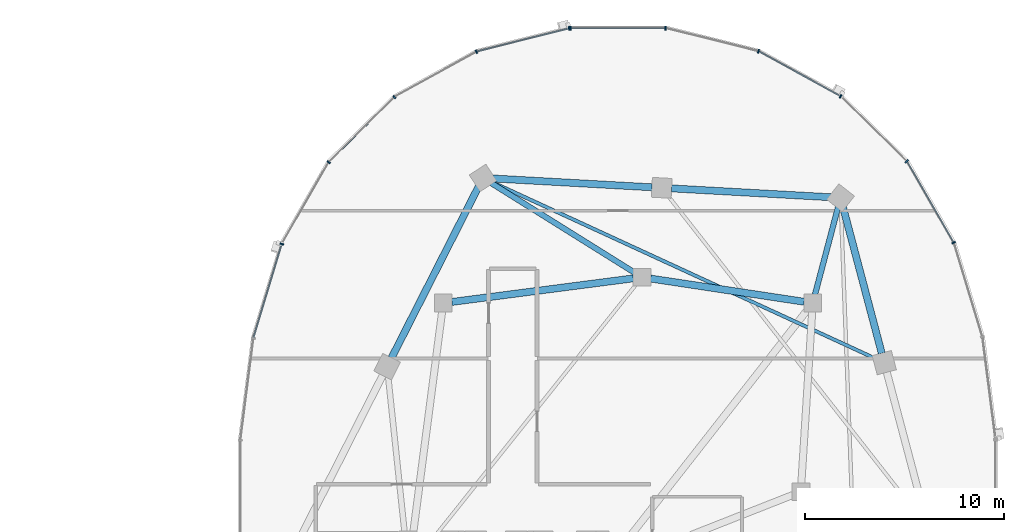
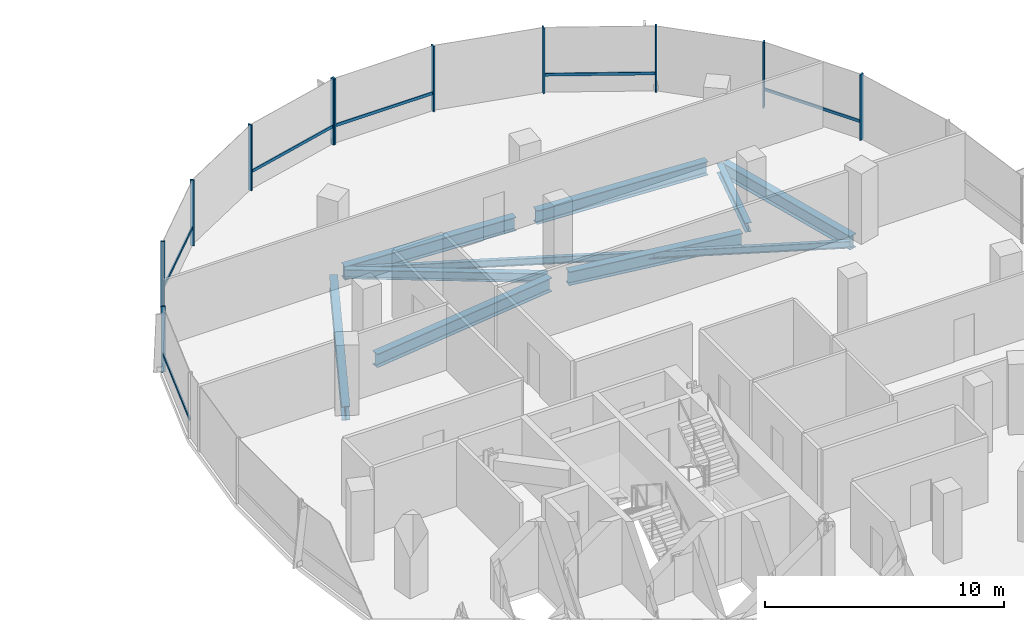
# One storey, part 9 of 23: 17 members, 9 beams, 2 elements without a shape of their own.
"""IFC4 building model written with IfcOpenShell, lengths in metres."""

from ifc_helpers import new_model, si_unit, direction, frame, origin, origin_2d, place, context, subcontext, project, spatial, rectangle, i_section, extrude, material, material_profile, profile_set, type_object, element, aggregate, save


model = new_model("IFC4")

# Units and contexts
model_context = context("Model", 3, precision=1e-05, world=origin(), true_north=direction((0.0, 1.0)))
body_context = subcontext(model_context, "Body", "Model", "MODEL_VIEW")
ifc_project = project(units=[si_unit("LENGTHUNIT", "METRE"), si_unit("AREAUNIT", "SQUARE_METRE"), si_unit("VOLUMEUNIT", "CUBIC_METRE"), si_unit("PLANEANGLEUNIT", "RADIAN"), si_unit("MASSUNIT", "GRAM", prefix="KILO"), si_unit("THERMODYNAMICTEMPERATUREUNIT", "KELVIN"), si_unit("POWERUNIT", "WATT")], contexts=[model_context])

# Site, building, storey
site_placement = place(None, origin())
site = spatial("IfcSite", under=ifc_project, at=site_placement, CompositionType="ELEMENT")
building_placement = place(site_placement, origin())
building = spatial("IfcBuilding", under=site, at=building_placement, Name="Cundina Bronze Exchange", CompositionType="ELEMENT")
storey_placement = place(building_placement, frame((0.0, 0.0, 169.199951171875)))
storey = spatial("IfcBuildingStorey", under=building, at=storey_placement, Name="L44", CompositionType="ELEMENT", Elevation=169.199951171875)

# Beams
ifc_material_1 = material(Name="Steel ASTM A992 Grade 50", Category="steel")
ifc_material_profile_1 = material_profile(ifc_material_1, i_section(OverallWidth=0.280029296875, OverallDepth=0.462890625, WebThickness=0.0107421875, FlangeThickness=0.017333984375, FilletRadius=0.011962890625, at=origin_2d()), Name="W18X76", Category="steel")
ifc_profile_set_1 = profile_set([ifc_material_profile_1], Name="Steel ASTM A992 Grade 50")
beam_type_1 = type_object("IfcBeamType", Name="BM-FLR-W18A", PredefinedType="BEAM", material=ifc_profile_set_1)
beam_1_placement = place(storey_placement, frame((41.911865234375, 9.923583984375, -0.471435546875), z_axis=(0.255413807463, 0.966831829719, 0.0), x_axis=(-0.966831829719, 0.255413807463, 0.0)))
element("IfcBeam", 1, at=beam_1_placement, inside=storey, type_object=beam_type_1, Name="L44 Leg E Chordal Floor Beam 10", PredefinedType="BEAM", context=body_context, shape_type="SweptSolid", body=[
    extrude(i_section(OverallWidth=0.280029296875, OverallDepth=0.462890625, WebThickness=0.0107421875, FlangeThickness=0.017333984375, FilletRadius=0.011962890625, at=origin_2d()), origin(), (0.0, 0.0, 1.0), 4.5556640625),
])
beam_2_placement = place(storey_placement, frame((32.82861328125, 11.031982421875, -0.471435546875), z_axis=(-0.847985407265, 0.530019574228, 0.0), x_axis=(-0.530019574228, -0.847985407265, 0.0)))
element("IfcBeam", 2, at=beam_2_placement, inside=storey, type_object=beam_type_1, Name="L44 Leg E Chordal Floor Beam 12", PredefinedType="BEAM", context=body_context, shape_type="SweptSolid", body=[
    extrude(i_section(OverallWidth=0.280029296875, OverallDepth=0.462890625, WebThickness=0.0107421875, FlangeThickness=0.017333984375, FilletRadius=0.011962890625, at=origin_2d()), origin(), (0.0, 0.0, 1.0), 8.50830078125),
])
ifc_material_profile_2 = material_profile(ifc_material_1, i_section(OverallWidth=0.172119140625, OverallDepth=0.35791015625, WebThickness=0.0078125, FlangeThickness=0.01318359375, FilletRadius=0.010009765625, at=origin_2d()), Name="W14X38", Category="steel")
ifc_profile_set_2 = profile_set([ifc_material_profile_2], Name="Steel ASTM A992 Grade 50")
beam_type_2 = type_object("IfcBeamType", Name="BM-JST-W14", PredefinedType="JOIST", material=ifc_profile_set_2)
beam_3_placement = place(storey_placement, frame((44.956787109375, 6.7041015625, -0.4189453125), z_axis=(-0.908353865734, 0.418202408655, 0.0), x_axis=(-0.418202408655, -0.908353865734, 0.0)))
element("IfcBeam", 3, at=beam_3_placement, inside=storey, type_object=beam_type_2, Name="L44 Leg E Lobe Floor Joist 09-12", PredefinedType="JOIST", context=body_context, shape_type="SweptSolid", body=[
    extrude(i_section(OverallWidth=0.172119140625, OverallDepth=0.35791015625, WebThickness=0.0078125, FlangeThickness=0.01318359375, FilletRadius=0.010009765625, at=origin_2d()), origin(), (0.0, 0.0, 1.0), 21.261962890625),
])
ifc_material_profile_3 = material_profile(ifc_material_1, i_section(OverallWidth=0.35498046875, OverallDepth=0.695068359375, WebThickness=0.015380859375, FlangeThickness=0.02490234375, FilletRadius=0.01806640625, at=origin_2d()), Name="W27X146", Category="steel")
ifc_profile_set_3 = profile_set([ifc_material_profile_3], Name="Steel ASTM A992 Grade 50")
beam_type_3 = type_object("IfcBeamType", Name="BM-RING-W27", PredefinedType="USERDEFINED", material=ifc_profile_set_3)
beam_4_placement = place(storey_placement, frame((41.366943359375, 9.5654296875, -0.58740234375), z_axis=(-0.988764903598, 0.149478979839, 0.0), x_axis=(-0.149478979839, -0.988764903598, 0.0)))
element("IfcBeam", 4, at=beam_4_placement, inside=storey, type_object=beam_type_3, Name="L44 E Inner Structural Ring Girder 05", ObjectType="GIRDER", PredefinedType="USERDEFINED", context=body_context, shape_type="SweptSolid", body=[
    extrude(i_section(OverallWidth=0.35498046875, OverallDepth=0.695068359375, WebThickness=0.015380859375, FlangeThickness=0.02490234375, FilletRadius=0.01806640625, at=origin_2d()), origin(), (0.0, 0.0, 1.0), 7.82177734375),
])
beam_5_placement = place(storey_placement, frame((32.765625, 10.743408203125, -0.58740234375), z_axis=(-0.991656498582, -0.128908451316, 0.0), x_axis=(0.128908451316, -0.991656498582, 0.0)))
element("IfcBeam", 5, at=beam_5_placement, inside=storey, type_object=beam_type_3, Name="L44 E Inner Structural Ring Girder 06", ObjectType="GIRDER", PredefinedType="USERDEFINED", context=body_context, shape_type="SweptSolid", body=[
    extrude(i_section(OverallWidth=0.35498046875, OverallDepth=0.695068359375, WebThickness=0.015380859375, FlangeThickness=0.02490234375, FilletRadius=0.01806640625, at=origin_2d()), origin(), (0.0, 0.0, 1.0), 9.208251953125),
])
beam_6_placement = place(storey_placement, frame((45.27490234375, 6.9716796875, -0.58740234375), z_axis=(-0.256210841755, 0.96662092082, 0.0), x_axis=(-0.96662092082, -0.256210841755, 0.0)))
element("IfcBeam", 6, at=beam_6_placement, inside=storey, type_object=beam_type_3, Name="L44 E Perimeter Ring Girder 09", ObjectType="GIRDER", PredefinedType="USERDEFINED", context=body_context, shape_type="SweptSolid", body=[
    extrude(i_section(OverallWidth=0.35498046875, OverallDepth=0.695068359375, WebThickness=0.015380859375, FlangeThickness=0.02490234375, FilletRadius=0.01806640625, at=origin_2d()), origin(), (0.0, 0.0, 1.0), 7.61083984375),
])
for number, where, z_axis, x_axis, name in (
    (7, (42.712890625, 14.8271484375, -0.58740234375), (-0.998460820451, 0.055461608559, 0.0), (-0.055461608559, -0.998460820451, 0.0), "L44 E Perimeter Ring Girder 10"),
    (8, (33.712890625, 15.3271484375, -0.58740234375), (-0.998460820451, 0.055461608559, 0.0), (-0.055461608559, -0.998460820451, 0.0), "L44 E Perimeter Ring Girder 11"),
):
    element("IfcBeam", number, at=place(storey_placement, frame(where, z_axis=z_axis, x_axis=x_axis)), inside=storey, type_object=beam_type_3, Name=name, ObjectType="GIRDER", PredefinedType="USERDEFINED", context=body_context, shape_type="SweptSolid", body=[
        extrude(i_section(OverallWidth=0.35498046875, OverallDepth=0.695068359375, WebThickness=0.015380859375, FlangeThickness=0.02490234375, FilletRadius=0.01806640625, at=origin_2d()), origin(), (0.0, 0.0, 1.0), 8.0380859375),
    ])
beam_7_placement = place(storey_placement, frame((24.97900390625, 15.364990234375, -0.58740234375), z_axis=(-0.452834585354, -0.891594548159, 0.0), x_axis=(0.891594548159, -0.452834585354, 0.0)))
element("IfcBeam", 9, at=beam_7_placement, inside=storey, type_object=beam_type_3, Name="L44 E Perimeter Ring Girder 12", ObjectType="GIRDER", PredefinedType="USERDEFINED", context=body_context, shape_type="SweptSolid", body=[
    extrude(i_section(OverallWidth=0.35498046875, OverallDepth=0.695068359375, WebThickness=0.015380859375, FlangeThickness=0.02490234375, FilletRadius=0.01806640625, at=origin_2d()), origin(), (0.0, 0.0, 1.0), 9.67919921875),
])

# Curtain wall, members
ifc_material_2 = material(Name="Anodised Bronze Aluminium 6063-T6", Category="aluminium")
curtain_wall_type = type_object("IfcCurtainWallType", Name="CWS-WST-PIN", PredefinedType="NOTDEFINED", material=ifc_material_2)
curtain_wall_1_placement = place(storey_placement, origin())
curtain_wall_1 = element("IfcCurtainWall", 10, at=curtain_wall_1_placement, inside=storey, type_object=curtain_wall_type, Name="L44 CW-04 Curtain Wall Run CWR-L44-E1", PredefinedType="NOTDEFINED")
ifc_material_profile_4 = material_profile(ifc_material_2, rectangle(XDim=0.070068359375, YDim=0.18994140625, at=origin_2d()), Name="AL70X190", Category="aluminium")
ifc_profile_set_4 = profile_set([ifc_material_profile_4], Name="Anodised Bronze Aluminium 6063-T6")
member_type_1 = type_object("IfcMemberType", Name="CWM-MUL-190", PredefinedType="MULLION", material=ifc_profile_set_4)
member_1_placement = place(storey_placement, frame((48.89794921875, 12.541259765625, 0.0), z_axis=(0.0, 0.0, 1.0), x_axis=(-0.498487739754, 0.866896748936, 0.0)))
member_1 = element("IfcMember", 11, at=member_1_placement, type_object=member_type_1, Name="CW-04 Mullion 3", PredefinedType="MULLION", context=body_context, shape_type="SweptSolid", body=[
    extrude(rectangle(XDim=0.070068359375, YDim=0.18994140625, at=origin_2d()), origin(), (0.0, 0.0, 1.0), 3.360107421875),
])
member_2_placement = place(storey_placement, frame((46.530517578125, 16.640380859375, 0.0), z_axis=(0.0, 0.0, 1.0), x_axis=(-0.712026045991, 0.702153052995, 0.0)))
member_2 = element("IfcMember", 12, at=member_2_placement, type_object=member_type_1, Name="CW-04 Mullion 4", PredefinedType="MULLION", context=body_context, shape_type="SweptSolid", body=[
    extrude(rectangle(XDim=0.070068359375, YDim=0.18994140625, at=origin_2d()), origin(), (0.0, 0.0, 1.0), 3.360107421875),
])
member_3_placement = place(storey_placement, frame((43.20654296875, 19.906005859375, 0.0), z_axis=(0.0, 0.0, 1.0), x_axis=(-0.875885937035, 0.482518212408, 0.0)))
member_3 = element("IfcMember", 13, at=member_3_placement, type_object=member_type_1, Name="CW-04 Mullion 5", PredefinedType="MULLION", context=body_context, shape_type="SweptSolid", body=[
    extrude(rectangle(XDim=0.070068359375, YDim=0.18994140625, at=origin_2d()), origin(), (0.0, 0.0, 1.0), 3.360107421875),
])
member_4_placement = place(storey_placement, frame((39.067626953125, 22.17626953125, 0.0), z_axis=(0.0, 0.0, 1.0), x_axis=(-0.970084240161, 0.242768546132, 0.0)))
member_4 = element("IfcMember", 14, at=member_4_placement, type_object=member_type_1, Name="CW-04 Mullion 6", PredefinedType="MULLION", context=body_context, shape_type="SweptSolid", body=[
    extrude(rectangle(XDim=0.070068359375, YDim=0.18994140625, at=origin_2d()), origin(), (0.0, 0.0, 1.0), 3.360107421875),
])
member_5_placement = place(storey_placement, frame((34.39404296875, 23.3369140625, 0.0), z_axis=(0.0, 0.0, 1.0), x_axis=(-1.0, 0.0, 0.0)))
member_5 = element("IfcMember", 15, at=member_5_placement, type_object=member_type_1, Name="CW-04 Mullion 7", PredefinedType="MULLION", context=body_context, shape_type="SweptSolid", body=[
    extrude(rectangle(XDim=0.070068359375, YDim=0.18994140625, at=origin_2d()), origin(), (0.0, 0.0, 1.0), 3.360107421875),
])
member_6_placement = place(storey_placement, frame((29.60595703125, 23.3369140625, 0.0), z_axis=(0.0, 0.0, 1.0), x_axis=(-1.0, 0.0, 0.0)))
member_6 = element("IfcMember", 16, at=member_6_placement, type_object=member_type_1, Name="CW-04 End Mullion", PredefinedType="MULLION", context=body_context, shape_type="SweptSolid", body=[
    extrude(rectangle(XDim=0.070068359375, YDim=0.18994140625, at=origin_2d()), origin(), (0.0, 0.0, 1.0), 3.360107421875),
])

curtain_wall_2_placement = place(storey_placement, origin())
curtain_wall_2 = element("IfcCurtainWall", 17, at=curtain_wall_2_placement, inside=storey, type_object=curtain_wall_type, Name="L44 CW-04 Curtain Wall Run CWR-L44-E2", PredefinedType="NOTDEFINED")
member_7_placement = place(storey_placement, frame((29.537353515625, 23.32861328125, 0.0), z_axis=(0.0, 0.0, 1.0), x_axis=(-0.970084240161, -0.242768546132, 0.0)))
member_7 = element("IfcMember", 18, at=member_7_placement, type_object=member_type_1, Name="CW-04 Mullion 1", PredefinedType="MULLION", context=body_context, shape_type="SweptSolid", body=[
    extrude(rectangle(XDim=0.070068359375, YDim=0.18994140625, at=origin_2d()), origin(), (0.0, 0.0, 1.0), 3.360107421875),
])
member_8_placement = place(storey_placement, frame((24.86962890625, 22.151611328125, 0.0), z_axis=(0.0, 0.0, 1.0), x_axis=(-0.875885937035, -0.482518212408, 0.0)))
member_8 = element("IfcMember", 19, at=member_8_placement, type_object=member_type_1, Name="CW-04 Mullion 2", PredefinedType="MULLION", context=body_context, shape_type="SweptSolid", body=[
    extrude(rectangle(XDim=0.070068359375, YDim=0.18994140625, at=origin_2d()), origin(), (0.0, 0.0, 1.0), 3.360107421875),
])
member_9_placement = place(storey_placement, frame((20.740966796875, 19.86669921875, 0.0), z_axis=(0.0, 0.0, 1.0), x_axis=(-0.712026045991, -0.702153052995, 0.0)))
member_9 = element("IfcMember", 20, at=member_9_placement, type_object=member_type_1, Name="CW-04 Mullion 3", PredefinedType="MULLION", context=body_context, shape_type="SweptSolid", body=[
    extrude(rectangle(XDim=0.070068359375, YDim=0.18994140625, at=origin_2d()), origin(), (0.0, 0.0, 1.0), 3.360107421875),
])
member_10_placement = place(storey_placement, frame((17.42919921875, 16.588134765625, 0.0), z_axis=(0.0, 0.0, 1.0), x_axis=(-0.498487739754, -0.866896748936, 0.0)))
member_10 = element("IfcMember", 21, at=member_10_placement, type_object=member_type_1, Name="CW-04 Mullion 4", PredefinedType="MULLION", context=body_context, shape_type="SweptSolid", body=[
    extrude(rectangle(XDim=0.070068359375, YDim=0.18994140625, at=origin_2d()), origin(), (0.0, 0.0, 1.0), 3.360107421875),
])
member_11_placement = place(storey_placement, frame((15.07373046875, 12.4755859375, 0.0), z_axis=(0.0, 0.0, 1.0), x_axis=(-0.290034140915, -0.957016299288, 0.0)))
member_11 = element("IfcMember", 22, at=member_11_placement, type_object=member_type_1, Name="CW-04 Mullion 5", PredefinedType="MULLION", context=body_context, shape_type="SweptSolid", body=[
    extrude(rectangle(XDim=0.070068359375, YDim=0.18994140625, at=origin_2d()), origin(), (0.0, 0.0, 1.0), 3.360107421875),
])

# Member
ifc_material_profile_5 = material_profile(ifc_material_2, rectangle(XDim=0.06494140625, YDim=0.14990234375, at=origin_2d()), Name="AL65X150", Category="aluminium")
ifc_profile_set_5 = profile_set([ifc_material_profile_5], Name="Anodised Bronze Aluminium 6063-T6")
member_type_2 = type_object("IfcMemberType", Name="CWM-TRN-150", PredefinedType="USERDEFINED", material=ifc_profile_set_5)
member_12_placement = place(storey_placement, frame((48.878662109375, 12.574462890625, 0.920166015625), z_axis=(-0.498479967047, 0.866901218394, 0.0), x_axis=(-0.866901218394, -0.498479967047, 0.0)))
member_12 = element("IfcMember", 23, at=member_12_placement, type_object=member_type_2, Name="CW-04 Spandrel Transom 3", ObjectType="TRANSOM", PredefinedType="USERDEFINED", context=body_context, shape_type="SweptSolid", body=[
    extrude(rectangle(XDim=0.06494140625, YDim=0.14990234375, at=origin_2d()), origin(), (0.0, 0.0, 1.0), 4.66845703125),
])

member_13_placement = place(storey_placement, frame((43.1728515625, 19.924560546875, 0.920166015625), z_axis=(-0.875878981549, 0.482530838062, 0.0), x_axis=(-0.482530838062, -0.875878981549, 0.0)))
member_13 = element("IfcMember", 24, at=member_13_placement, type_object=member_type_2, Name="CW-04 Spandrel Transom 5", ObjectType="TRANSOM", PredefinedType="USERDEFINED", context=body_context, shape_type="SweptSolid", body=[
    extrude(rectangle(XDim=0.06494140625, YDim=0.14990234375, at=origin_2d()), origin(), (0.0, 0.0, 1.0), 4.65380859375),
])

member_14_placement = place(storey_placement, frame((34.35546875, 23.3369140625, 0.920166015625), z_axis=(-1.0, 0.0, 0.0), x_axis=(0.0, -1.0, 0.0)))
member_14 = element("IfcMember", 25, at=member_14_placement, type_object=member_type_2, Name="CW-04 Spandrel Transom 7", ObjectType="TRANSOM", PredefinedType="USERDEFINED", context=body_context, shape_type="SweptSolid", body=[
    extrude(rectangle(XDim=0.06494140625, YDim=0.14990234375, at=origin_2d()), origin(), (0.0, 0.0, 1.0), 4.7109375),
])

aggregate(curtain_wall_1, [member_1, member_12, member_2, member_3, member_13, member_4, member_5, member_6, member_14])

member_15_placement = place(storey_placement, frame((29.5, 23.319091796875, 0.920166015625), z_axis=(-0.970100130035, -0.242705042606, 0.0), x_axis=(0.242705042606, -0.970100130035, 0.0)))
member_15 = element("IfcMember", 26, at=member_15_placement, type_object=member_type_2, Name="CW-04 Spandrel Transom 1", ObjectType="TRANSOM", PredefinedType="USERDEFINED", context=body_context, shape_type="SweptSolid", body=[
    extrude(rectangle(XDim=0.06494140625, YDim=0.14990234375, at=origin_2d()), origin(), (0.0, 0.0, 1.0), 4.746826171875),
])

member_16_placement = place(storey_placement, frame((20.71337890625, 19.839599609375, 0.920166015625), z_axis=(-0.712005023839, -0.702174370102, 0.0), x_axis=(0.702174370102, -0.712005023839, 0.0)))
member_16 = element("IfcMember", 27, at=member_16_placement, type_object=member_type_2, Name="CW-04 Spandrel Transom 3", ObjectType="TRANSOM", PredefinedType="USERDEFINED", context=body_context, shape_type="SweptSolid", body=[
    extrude(rectangle(XDim=0.06494140625, YDim=0.14990234375, at=origin_2d()), origin(), (0.0, 0.0, 1.0), 4.594482421875),
])

member_17_placement = place(storey_placement, frame((15.062744140625, 12.43896484375, 0.920166015625), z_axis=(-0.290051855969, -0.957010930371, 0.0), x_axis=(0.957010930371, -0.290051855969, 0.0)))
member_17 = element("IfcMember", 28, at=member_17_placement, type_object=member_type_2, Name="CW-04 Spandrel Transom 5", ObjectType="TRANSOM", PredefinedType="USERDEFINED", context=body_context, shape_type="SweptSolid", body=[
    extrude(rectangle(XDim=0.06494140625, YDim=0.14990234375, at=origin_2d()), origin(), (0.0, 0.0, 1.0), 4.876953125),
])

aggregate(curtain_wall_2, [member_7, member_15, member_8, member_9, member_16, member_10, member_11, member_17])

save(model, "model.ifc")
